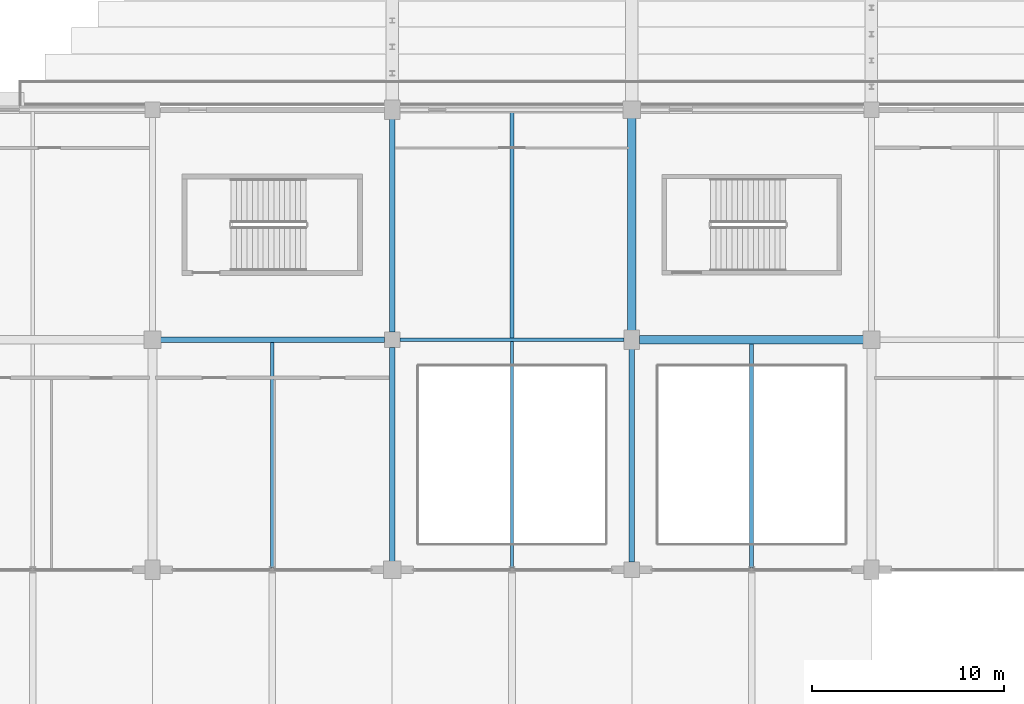
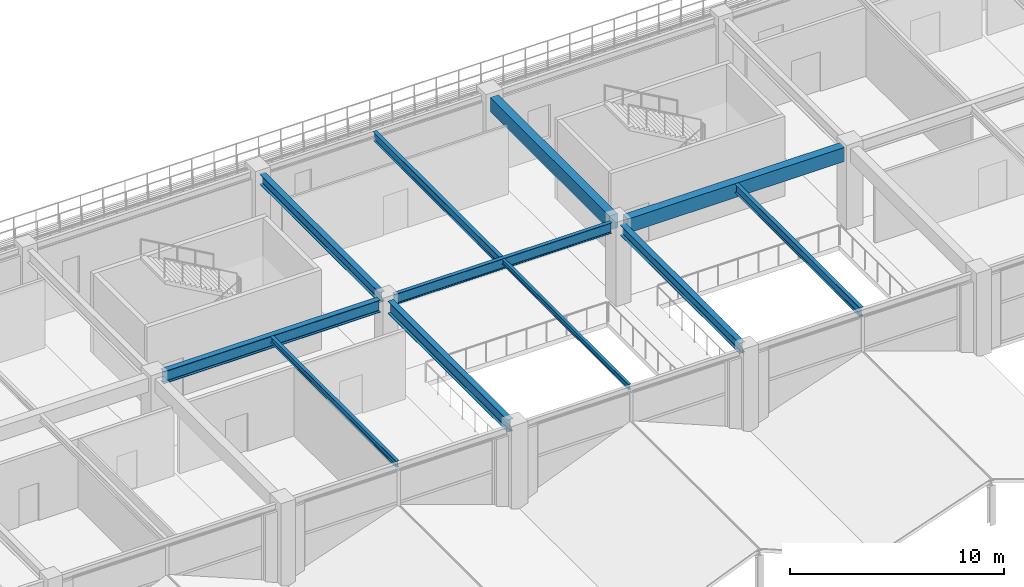
# One storey, part 13 of 134: 11 beams.
"""IFC4 building model written with IfcOpenShell, lengths in metres."""

from ifc_helpers import new_model, si_unit, direction, frame, origin, origin_2d, place, context, subcontext, project, spatial, rectangle, i_section, extrude, material, material_profile, profile_set, type_object, element, save


model = new_model("IFC4")

# Units and contexts
model_context = context("Model", 3, precision=1e-05, world=origin(), true_north=direction((0.0, 1.0)))
body_context = subcontext(model_context, "Body", "Model", "MODEL_VIEW")
ifc_project = project(units=[si_unit("LENGTHUNIT", "METRE"), si_unit("AREAUNIT", "SQUARE_METRE"), si_unit("VOLUMEUNIT", "CUBIC_METRE"), si_unit("PLANEANGLEUNIT", "RADIAN"), si_unit("MASSUNIT", "GRAM", prefix="KILO")], contexts=[model_context])

# Site, building, storey
site_placement = place(None, origin())
site = spatial("IfcSite", under=ifc_project, at=site_placement, CompositionType="ELEMENT")
building_placement = place(site_placement, origin())
building = spatial("IfcBuilding", under=site, at=building_placement, Name="Kazenohara Klinker Stadium", CompositionType="ELEMENT")
storey_placement = place(building_placement, frame((0.0, 0.0, 5.39990234375)))
storey = spatial("IfcBuildingStorey", under=building, at=storey_placement, Name="L01", CompositionType="ELEMENT", Elevation=5.39990234375)

# Beams
ifc_material_1 = material(Name="Steel S355", Category="steel")
ifc_material_profile_1 = material_profile(ifc_material_1, i_section(OverallWidth=0.199951171875, OverallDepth=0.5, WebThickness=0.010009765625, FlangeThickness=0.01611328125, FilletRadius=0.012939453125, at=origin_2d()), Name="H-500x200x10x16")
ifc_profile_set_1 = profile_set([ifc_material_profile_1], Name="Steel S355")
beam_type_1 = type_object("IfcBeamType", Name="BM-JST01", PredefinedType="JOIST", material=ifc_profile_set_1)
beam_1_placement = place(storey_placement, frame((80.25, 24.10009765625, 4.300048828125), z_axis=(0.0, 1.0, 0.0), x_axis=(-1.0, 0.0, 0.0)))
element("IfcBeam", 1, at=beam_1_placement, inside=storey, type_object=beam_type_1, Name="Secondary floor joist SJ01 L01 7/C", PredefinedType="JOIST", context=body_context, shape_type="SweptSolid", body=[
    extrude(i_section(OverallWidth=0.199951171875, OverallDepth=0.5, WebThickness=0.010009765625, FlangeThickness=0.01611328125, FilletRadius=0.012939453125, at=origin_2d()), origin(), (0.0, 0.0, 1.0), 11.8125),
])
beam_2_placement = place(storey_placement, frame((92.75, 12.10009765625, 4.300048828125), z_axis=(0.0, 1.0, 0.0), x_axis=(-1.0, 0.0, 0.0)))
element("IfcBeam", 2, at=beam_2_placement, inside=storey, type_object=beam_type_1, Name="Secondary floor joist SJ01 L01 8/B", PredefinedType="JOIST", context=body_context, shape_type="SweptSolid", body=[
    extrude(i_section(OverallWidth=0.199951171875, OverallDepth=0.5, WebThickness=0.010009765625, FlangeThickness=0.01611328125, FilletRadius=0.012939453125, at=origin_2d()), origin(), (0.0, 0.0, 1.0), 11.6748046875),
])
ifc_material_profile_2 = material_profile(ifc_material_1, i_section(OverallWidth=0.175048828125, OverallDepth=0.35009765625, WebThickness=0.007080078125, FlangeThickness=0.010986328125, FilletRadius=0.012939453125, at=origin_2d()), Name="H-350x175x7x11")
ifc_profile_set_2 = profile_set([ifc_material_profile_2], Name="Steel S355")
beam_type_2 = type_object("IfcBeamType", Name="BM-JST04", PredefinedType="JOIST", material=ifc_profile_set_2)
beam_3_placement = place(storey_placement, frame((67.75, 12.10009765625, 4.375), z_axis=(0.0, 1.0, 0.0), x_axis=(-1.0, 0.0, 0.0)))
element("IfcBeam", 3, at=beam_3_placement, inside=storey, type_object=beam_type_2, Name="Secondary floor joist SJ04 L01 6/B", PredefinedType="JOIST", context=body_context, shape_type="SweptSolid", body=[
    extrude(i_section(OverallWidth=0.175048828125, OverallDepth=0.35009765625, WebThickness=0.007080078125, FlangeThickness=0.010986328125, FilletRadius=0.012939453125, at=origin_2d()), origin(), (0.0, 0.0, 1.0), 11.75),
])
ifc_material_profile_3 = material_profile(ifc_material_1, i_section(OverallWidth=0.14990234375, OverallDepth=0.300048828125, WebThickness=0.006591796875, FlangeThickness=0.009033203125, FilletRadius=0.012939453125, at=origin_2d()), Name="H-300x150x6.5x9")
ifc_profile_set_3 = profile_set([ifc_material_profile_3], Name="Steel S355")
beam_type_3 = type_object("IfcBeamType", Name="BM-JST05", PredefinedType="JOIST", material=ifc_profile_set_3)
beam_4_placement = place(storey_placement, frame((80.25, 12.08740234375, 4.400146484375), z_axis=(0.0, 1.0, 0.0), x_axis=(-1.0, 0.0, 0.0)))
element("IfcBeam", 4, at=beam_4_placement, inside=storey, type_object=beam_type_3, Name="Secondary floor joist SJ05 L01 7/B", PredefinedType="JOIST", context=body_context, shape_type="SweptSolid", body=[
    extrude(i_section(OverallWidth=0.14990234375, OverallDepth=0.300048828125, WebThickness=0.006591796875, FlangeThickness=0.009033203125, FilletRadius=0.012939453125, at=origin_2d()), origin(), (0.0, 0.0, 1.0), 11.8125),
])
ifc_material_2 = material(Name="Concrete C40/50", Category="concrete")
ifc_material_profile_4 = material_profile(ifc_material_2, rectangle(XDim=0.449951171875, YDim=0.800048828125, at=origin_2d()), Name="RC-BM-450x800")
ifc_profile_set_4 = profile_set([ifc_material_profile_4], Name="Concrete C40/50")
beam_type_4 = type_object("IfcBeamType", Name="BM-RC03", PredefinedType="BEAM", material=ifc_profile_set_4)
beam_5_placement = place(storey_placement, frame((86.89990234375, 24.0, 4.150146484375), z_axis=(1.0, 0.0, 0.0), x_axis=(0.0, 1.0, 0.0)))
element("IfcBeam", 5, at=beam_5_placement, inside=storey, type_object=beam_type_4, Name="Primary girder BG03 L01 8-9/C", PredefinedType="BEAM", context=body_context, shape_type="SweptSolid", body=[
    extrude(rectangle(XDim=0.449951171875, YDim=0.800048828125, at=origin_2d()), origin(), (0.0, 0.0, 1.0), 11.68017578125),
])
beam_6_placement = place(storey_placement, frame((86.5, 24.419921875, 4.150146484375), z_axis=(0.0, 1.0, 0.0), x_axis=(-1.0, 0.0, 0.0)))
element("IfcBeam", 6, at=beam_6_placement, inside=storey, type_object=beam_type_4, Name="Primary girder BG03 L01 8/C-D", PredefinedType="BEAM", context=body_context, shape_type="SweptSolid", body=[
    extrude(rectangle(XDim=0.449951171875, YDim=0.800048828125, at=origin_2d()), origin(), (0.0, 0.0, 1.0), 11.16015625),
])
ifc_material_profile_5 = material_profile(ifc_material_1, i_section(OverallWidth=0.300048828125, OverallDepth=0.699951171875, WebThickness=0.012939453125, FlangeThickness=0.02392578125, FilletRadius=0.02197265625, at=origin_2d()), Name="H-700x300x13x24")
ifc_profile_set_5 = profile_set([ifc_material_profile_5], Name="Steel S355")
beam_type_5 = type_object("IfcBeamType", Name="BM-ST03", PredefinedType="BEAM", material=ifc_profile_set_5)
beam_7_placement = place(storey_placement, frame((61.919921875, 24.0, 4.2001953125), z_axis=(1.0, 0.0, 0.0), x_axis=(0.0, 1.0, 0.0)))
element("IfcBeam", 7, at=beam_7_placement, inside=storey, type_object=beam_type_5, Name="Primary girder SB03 L01 6-7/C", PredefinedType="BEAM", context=body_context, shape_type="SweptSolid", body=[
    extrude(i_section(OverallWidth=0.300048828125, OverallDepth=0.699951171875, WebThickness=0.012939453125, FlangeThickness=0.02392578125, FilletRadius=0.02197265625, at=origin_2d()), origin(), (0.0, 0.0, 1.0), 11.68017578125),
])
beam_8_placement = place(storey_placement, frame((74.0, 12.419921875, 4.2001953125), z_axis=(0.0, 1.0, 0.0), x_axis=(-1.0, 0.0, 0.0)))
element("IfcBeam", 8, at=beam_8_placement, inside=storey, type_object=beam_type_5, Name="Primary girder SB03 L01 7/B-C", PredefinedType="BEAM", context=body_context, shape_type="SweptSolid", body=[
    extrude(i_section(OverallWidth=0.300048828125, OverallDepth=0.699951171875, WebThickness=0.012939453125, FlangeThickness=0.02392578125, FilletRadius=0.02197265625, at=origin_2d()), origin(), (0.0, 0.0, 1.0), 11.18017578125),
])
ifc_material_profile_6 = material_profile(ifc_material_1, i_section(OverallWidth=0.199951171875, OverallDepth=0.60009765625, WebThickness=0.010986328125, FlangeThickness=0.01708984375, FilletRadius=0.012939453125, at=origin_2d()), Name="H-600x200x11x17")
ifc_profile_set_6 = profile_set([ifc_material_profile_6], Name="Steel S355")
beam_type_6 = type_object("IfcBeamType", Name="BM-ST04", PredefinedType="BEAM", material=ifc_profile_set_6)
beam_9_placement = place(storey_placement, frame((74.39990234375, 24.0, 4.25), z_axis=(1.0, 0.0, 0.0), x_axis=(0.0, 1.0, 0.0)))
element("IfcBeam", 9, at=beam_9_placement, inside=storey, type_object=beam_type_6, Name="Primary girder SB04 L01 7-8/C", PredefinedType="BEAM", context=body_context, shape_type="SweptSolid", body=[
    extrude(i_section(OverallWidth=0.199951171875, OverallDepth=0.60009765625, WebThickness=0.010986328125, FlangeThickness=0.01708984375, FilletRadius=0.012939453125, at=origin_2d()), origin(), (0.0, 0.0, 1.0), 11.7001953125),
])
ifc_material_profile_7 = material_profile(ifc_material_1, i_section(OverallWidth=0.300048828125, OverallDepth=0.587890625, WebThickness=0.011962890625, FlangeThickness=0.02001953125, FilletRadius=0.02197265625, at=origin_2d()), Name="H-588x300x12x20")
ifc_profile_set_7 = profile_set([ifc_material_profile_7], Name="Steel S355")
beam_type_7 = type_object("IfcBeamType", Name="BM-ST05", PredefinedType="BEAM", material=ifc_profile_set_7)
for number, where, z_axis, x_axis, name in (
    (10, (74.0, 24.39990234375, 4.256103515625), (0.0, 1.0, 0.0), (-1.0, 0.0, 0.0), "Primary girder SB05 L01 7/C-D"),
    (11, (86.5, 12.39990234375, 4.256103515625), (0.0, 1.0, 0.0), (-1.0, 0.0, 0.0), "Primary girder SB05 L01 8/B-C"),
):
    element("IfcBeam", number, at=place(storey_placement, frame(where, z_axis=z_axis, x_axis=x_axis)), inside=storey, type_object=beam_type_7, Name=name, PredefinedType="BEAM", context=body_context, shape_type="SweptSolid", body=[
        extrude(i_section(OverallWidth=0.300048828125, OverallDepth=0.587890625, WebThickness=0.011962890625, FlangeThickness=0.02001953125, FilletRadius=0.02197265625, at=origin_2d()), origin(), (0.0, 0.0, 1.0), 11.18017578125),
    ])

save(model, "model.ifc")
